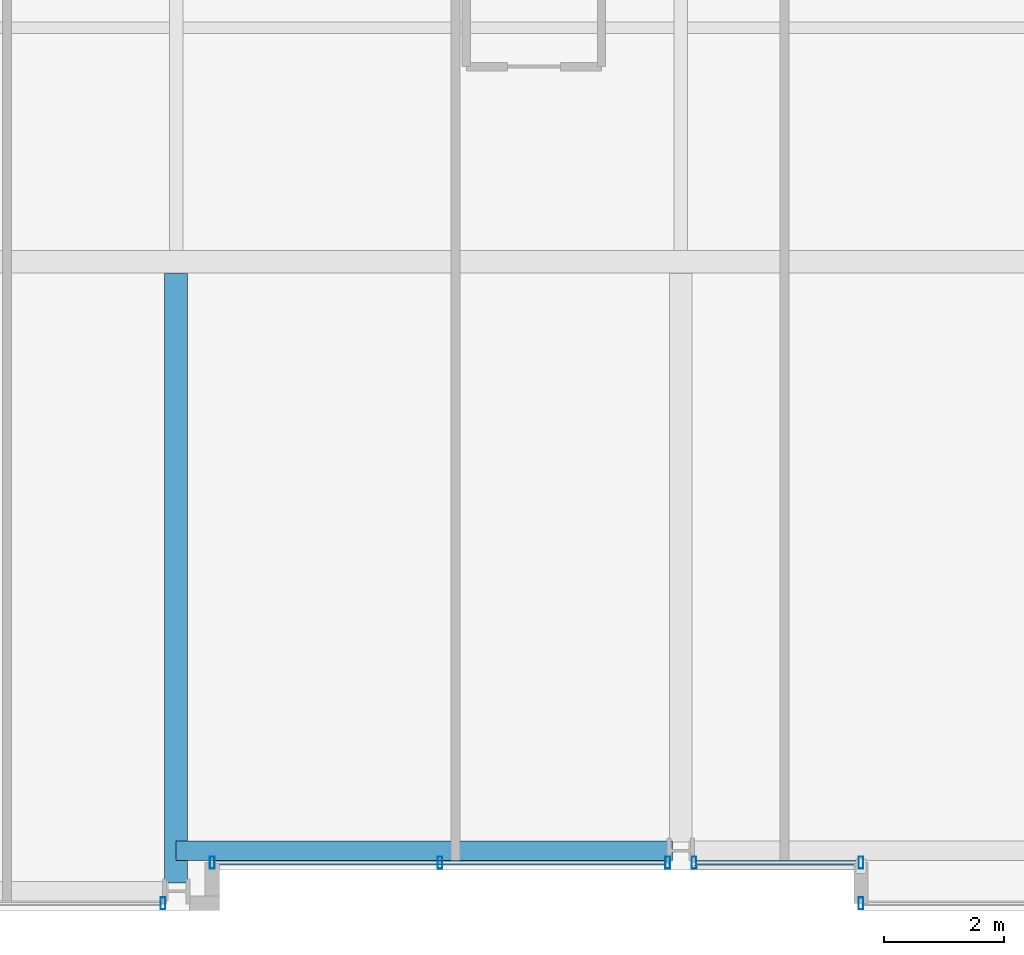
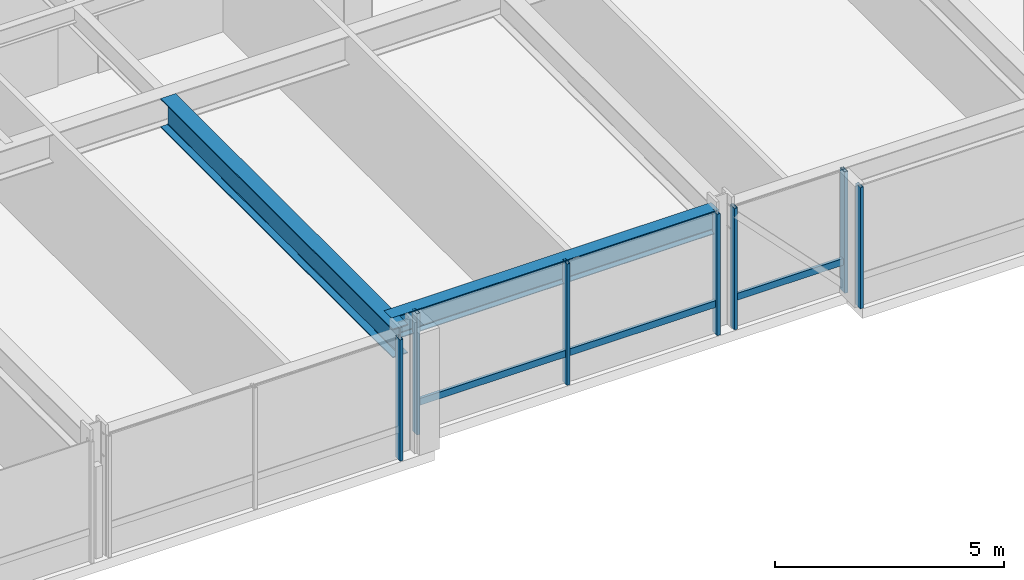
# One storey, part 5 of 34: 9 members, 2 beams, 4 elements without a shape of their own.
"""IFC4 building model written with IfcOpenShell, lengths in metres."""

from ifc_helpers import new_model, si_unit, direction, frame, origin, origin_2d, place, context, subcontext, project, spatial, hollow_rectangle, i_section, extrude, material, layer, layer_set, material_profile, profile_set, type_object, element, aggregate, save


model = new_model("IFC4")

# Units and contexts
model_context = context("Model", 3, precision=1e-05, world=origin(), true_north=direction((0.0, 1.0)))
body_context = subcontext(model_context, "Body", "Model", "MODEL_VIEW")
ifc_project = project(units=[si_unit("LENGTHUNIT", "METRE"), si_unit("AREAUNIT", "SQUARE_METRE"), si_unit("VOLUMEUNIT", "CUBIC_METRE"), si_unit("PLANEANGLEUNIT", "RADIAN"), si_unit("MASSUNIT", "GRAM", prefix="KILO")], contexts=[model_context])

# Site, building, storey
site_placement = place(None, origin())
site = spatial("IfcSite", under=ifc_project, at=site_placement, CompositionType="ELEMENT")
building_placement = place(site_placement, origin())
building = spatial("IfcBuilding", under=site, at=building_placement, Name="Drelvath Grand Hotel", CompositionType="ELEMENT")
storey_placement = place(building_placement, frame((0.0, 0.0, 116.300048828125)))
storey = spatial("IfcBuildingStorey", under=building, at=storey_placement, Name="L29", CompositionType="ELEMENT", Elevation=116.300048828125)

# Curtain wall, member
ifc_material_1 = material(Name="Champagne Bronze Anodised Aluminium Frame", Category="aluminium")
ifc_layer = layer(ifc_material_1, 0.199951171875)
ifc_layer_set = layer_set([ifc_layer], Name="Champagne Bronze Anodised Aluminium Frame")
curtain_wall_type = type_object("IfcCurtainWallType", Name="Stick Curtain Wall CW-03 Champagne Bronze Mid-Rise", PredefinedType="NOTDEFINED", material=ifc_layer_set)
curtain_wall_1_placement = place(storey_placement, origin())
curtain_wall_1 = element("IfcCurtainWall", 1, at=curtain_wall_1_placement, inside=storey, type_object=curtain_wall_type, Name="L29 CW-03 Curtain Wall CW03-L29-SM1", PredefinedType="NOTDEFINED")
ifc_material_profile_1 = material_profile(ifc_material_1, hollow_rectangle(XDim=0.074951171875, YDim=0.179931640625, WallThickness=0.0048828125, at=origin_2d()), Name="HSS180X75X5")
ifc_profile_set_1 = profile_set([ifc_material_profile_1], Name="Champagne Bronze Anodised Aluminium Frame")
member_type_1 = type_object("IfcMemberType", Name="Curtain Wall Horizontal Transom CW-03 HSS180X75X5", PredefinedType="USERDEFINED", material=ifc_profile_set_1)
member_1_placement = place(storey_placement, frame((-0.259521484375, 0.800048828125, 0.81005859375), z_axis=(-1.0, 0.0, 0.0), x_axis=(0.0, -1.0, 0.0)))
member_1 = element("IfcMember", 2, at=member_1_placement, type_object=member_type_1, Name="CW03-L29-SM1 Sill Transom", ObjectType="TRANSOM", PredefinedType="USERDEFINED", context=body_context, shape_type="SweptSolid", body=[
    extrude(hollow_rectangle(XDim=0.074951171875, YDim=0.179931640625, WallThickness=0.0048828125, at=origin_2d()), origin(), (0.0, 0.0, 1.0), 7.50048828125),
])

curtain_wall_2_placement = place(storey_placement, origin())
curtain_wall_2 = element("IfcCurtainWall", 3, at=curtain_wall_2_placement, inside=storey, type_object=curtain_wall_type, Name="L29 CW-03 Curtain Wall CW03-L29-SM2", PredefinedType="NOTDEFINED")
member_2_placement = place(storey_placement, frame((2.9599609375, 0.800048828125, 0.81005859375), z_axis=(-1.0, 0.0, 0.0), x_axis=(0.0, -1.0, 0.0)))
member_2 = element("IfcMember", 4, at=member_2_placement, type_object=member_type_1, Name="CW03-L29-SM2 Sill Transom", ObjectType="TRANSOM", PredefinedType="USERDEFINED", context=body_context, shape_type="SweptSolid", body=[
    extrude(hollow_rectangle(XDim=0.074951171875, YDim=0.179931640625, WallThickness=0.0048828125, at=origin_2d()), origin(), (0.0, 0.0, 1.0), 2.700439453125),
])

curtain_wall_3_placement = place(storey_placement, origin())
curtain_wall_3 = element("IfcCurtainWall", 5, at=curtain_wall_3_placement, inside=storey, type_object=curtain_wall_type, Name="L29 CW-03 Curtain Wall CW03-L29-SE1", PredefinedType="NOTDEFINED")
ifc_material_profile_2 = material_profile(ifc_material_1, hollow_rectangle(XDim=0.080078125, YDim=0.199951171875, WallThickness=0.0048828125, at=origin_2d()), Name="HSS200X80X5")
ifc_profile_set_2 = profile_set([ifc_material_profile_2], Name="Champagne Bronze Anodised Aluminium Frame")
member_type_2 = type_object("IfcMemberType", Name="Curtain Wall Vertical Mullion CW-03 HSS200X80X5", PredefinedType="MULLION", material=ifc_profile_set_2)
member_3_placement = place(storey_placement, frame((3.0, 0.1201171875, 0.0), z_axis=(0.0, 0.0, 1.0), x_axis=(1.0, 0.0, 0.0)))
member_3 = element("IfcMember", 6, at=member_3_placement, type_object=member_type_2, Name="CW03-L29-SE1 Mullion 2", PredefinedType="MULLION", context=body_context, shape_type="SweptSolid", body=[
    extrude(hollow_rectangle(XDim=0.080078125, YDim=0.199951171875, WallThickness=0.0048828125, at=origin_2d()), origin(), (0.0, 0.0, 1.0), 3.239990234375),
])
aggregate(curtain_wall_3, [member_3])

# Member
member_4_placement = place(storey_placement, frame((-0.219482421875, 0.800048828125, 0.0), z_axis=(0.0, 0.0, 1.0), x_axis=(1.0, 0.0, 0.0)))
member_4 = element("IfcMember", 7, at=member_4_placement, type_object=member_type_2, Name="CW03-L29-SM1 Mullion 1", PredefinedType="MULLION", context=body_context, shape_type="SweptSolid", body=[
    extrude(hollow_rectangle(XDim=0.080078125, YDim=0.199951171875, WallThickness=0.0048828125, at=origin_2d()), origin(), (0.0, 0.0, 1.0), 3.239990234375),
])

member_5_placement = place(storey_placement, frame((-4.009765625, 0.800048828125, 0.0), z_axis=(0.0, 0.0, 1.0), x_axis=(1.0, 0.0, 0.0)))
member_5 = element("IfcMember", 8, at=member_5_placement, type_object=member_type_2, Name="CW03-L29-SM1 Mullion 2", PredefinedType="MULLION", context=body_context, shape_type="SweptSolid", body=[
    extrude(hollow_rectangle(XDim=0.080078125, YDim=0.199951171875, WallThickness=0.0048828125, at=origin_2d()), origin(), (0.0, 0.0, 1.0), 3.239990234375),
])

member_6_placement = place(storey_placement, frame((-7.800048828125, 0.800048828125, 0.0), z_axis=(0.0, 0.0, 1.0), x_axis=(1.0, 0.0, 0.0)))
member_6 = element("IfcMember", 9, at=member_6_placement, type_object=member_type_2, Name="CW03-L29-SM1 Mullion 3", PredefinedType="MULLION", context=body_context, shape_type="SweptSolid", body=[
    extrude(hollow_rectangle(XDim=0.080078125, YDim=0.199951171875, WallThickness=0.0048828125, at=origin_2d()), origin(), (0.0, 0.0, 1.0), 3.239990234375),
])

aggregate(curtain_wall_1, [member_4, member_5, member_6, member_1])

member_7_placement = place(storey_placement, frame((3.0, 0.800048828125, 0.0), z_axis=(0.0, 0.0, 1.0), x_axis=(1.0, 0.0, 0.0)))
member_7 = element("IfcMember", 10, at=member_7_placement, type_object=member_type_2, Name="CW03-L29-SM2 Mullion 1", PredefinedType="MULLION", context=body_context, shape_type="SweptSolid", body=[
    extrude(hollow_rectangle(XDim=0.080078125, YDim=0.199951171875, WallThickness=0.0048828125, at=origin_2d()), origin(), (0.0, 0.0, 1.0), 3.239990234375),
])

member_8_placement = place(storey_placement, frame((0.219482421875, 0.800048828125, 0.0), z_axis=(0.0, 0.0, 1.0), x_axis=(1.0, 0.0, 0.0)))
member_8 = element("IfcMember", 11, at=member_8_placement, type_object=member_type_2, Name="CW03-L29-SM2 Mullion 2", PredefinedType="MULLION", context=body_context, shape_type="SweptSolid", body=[
    extrude(hollow_rectangle(XDim=0.080078125, YDim=0.199951171875, WallThickness=0.0048828125, at=origin_2d()), origin(), (0.0, 0.0, 1.0), 3.239990234375),
])

aggregate(curtain_wall_2, [member_7, member_8, member_2])

# Curtain wall, member
curtain_wall_4_placement = place(storey_placement, origin())
curtain_wall_4 = element("IfcCurtainWall", 12, at=curtain_wall_4_placement, inside=storey, type_object=curtain_wall_type, Name="L29 CW-03 Curtain Wall CW03-L29-SW2", PredefinedType="NOTDEFINED")
member_9_placement = place(storey_placement, frame((-8.61962890625, 0.1201171875, 0.0), z_axis=(0.0, 0.0, 1.0), x_axis=(1.0, 0.0, 0.0)))
member_9 = element("IfcMember", 13, at=member_9_placement, type_object=member_type_2, Name="CW03-L29-SW2 Mullion 1", PredefinedType="MULLION", context=body_context, shape_type="SweptSolid", body=[
    extrude(hollow_rectangle(XDim=0.080078125, YDim=0.199951171875, WallThickness=0.0048828125, at=origin_2d()), origin(), (0.0, 0.0, 1.0), 3.239990234375),
])
aggregate(curtain_wall_4, [member_9])

# Beams
ifc_material_2 = material(Name="Steel ASTM A992 Gr 50", Category="steel")
ifc_material_profile_3 = material_profile(ifc_material_2, i_section(OverallWidth=0.323974609375, OverallDepth=0.611083984375, WebThickness=0.0126953125, FlangeThickness=0.01904296875, FilletRadius=0.02197265625, at=origin_2d()), Name="W24X104")
ifc_profile_set_3 = profile_set([ifc_material_profile_3], Name="Steel ASTM A992 Gr 50")
beam_type_1 = type_object("IfcBeamType", Name="Perimeter Spandrel Beam W24X104", PredefinedType="SPANDREL", material=ifc_profile_set_3)
beam_1_placement = place(storey_placement, frame((-8.39990234375, 1.0, 2.9345703125), z_axis=(1.0, 0.0, 0.0), x_axis=(0.0, 1.0, 0.0)))
element("IfcBeam", 14, at=beam_1_placement, inside=storey, type_object=beam_type_1, Name="L29 Spandrel South Mid W", PredefinedType="SPANDREL", context=body_context, shape_type="SweptSolid", body=[
    extrude(i_section(OverallWidth=0.323974609375, OverallDepth=0.611083984375, WebThickness=0.0126953125, FlangeThickness=0.01904296875, FilletRadius=0.02197265625, at=origin_2d()), origin(), (0.0, 0.0, 1.0), 8.260009765625),
])
ifc_material_profile_4 = material_profile(ifc_material_2, i_section(OverallWidth=0.380615234375, OverallDepth=0.773193359375, WebThickness=0.0166015625, FlangeThickness=0.027099609375, FilletRadius=0.02490234375, at=origin_2d()), Name="W30X173")
ifc_profile_set_4 = profile_set([ifc_material_profile_4], Name="Steel ASTM A992 Gr 50")
beam_type_2 = type_object("IfcBeamType", Name="Primary Floor Girder W30X173", PredefinedType="BEAM", material=ifc_profile_set_4)
beam_2_placement = place(storey_placement, frame((-8.39990234375, 0.4599609375, 2.853271484375), z_axis=(0.0, 1.0, 0.0), x_axis=(-1.0, 0.0, 0.0)))
element("IfcBeam", 15, at=beam_2_placement, inside=storey, type_object=beam_type_2, Name="L29 South Wing Girder 4", PredefinedType="BEAM", context=body_context, shape_type="SweptSolid", body=[
    extrude(i_section(OverallWidth=0.380615234375, OverallDepth=0.773193359375, WebThickness=0.0166015625, FlangeThickness=0.027099609375, FilletRadius=0.02490234375, at=origin_2d()), origin(), (0.0, 0.0, 1.0), 10.149658203125),
])

save(model, "model.ifc")
